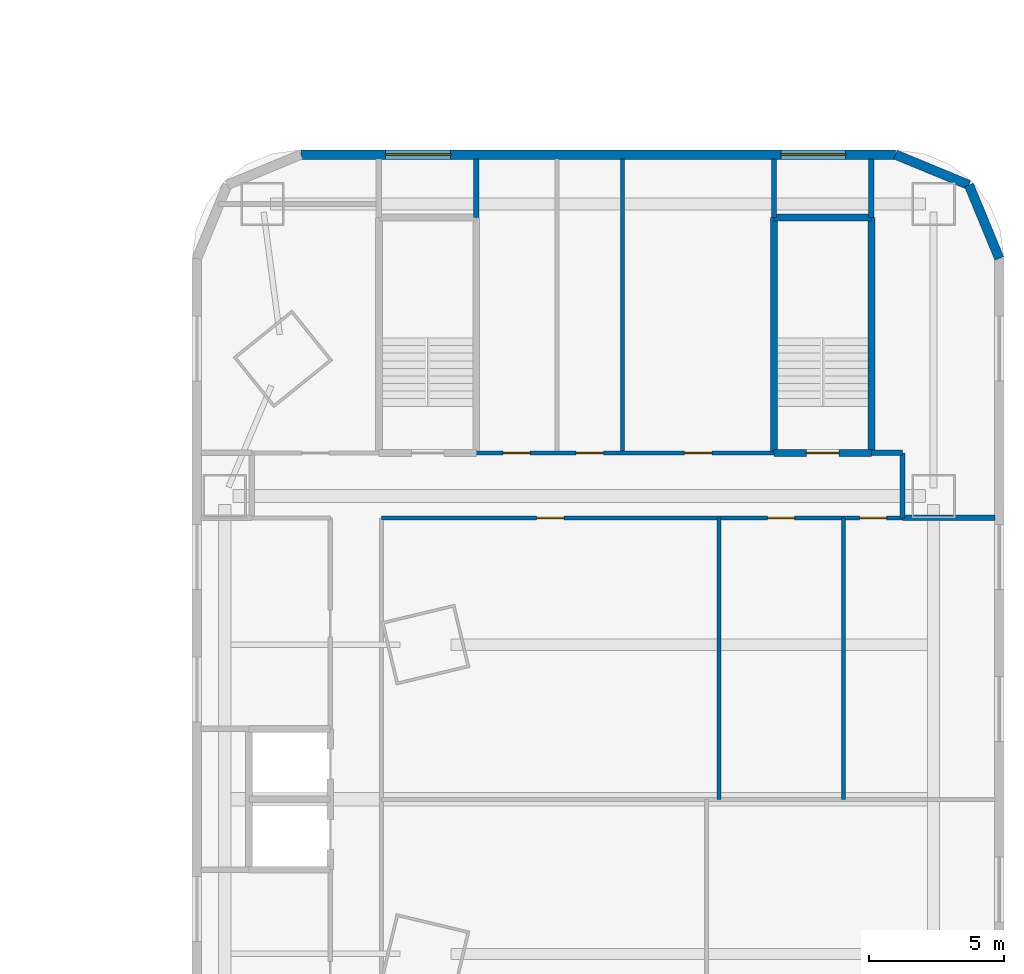
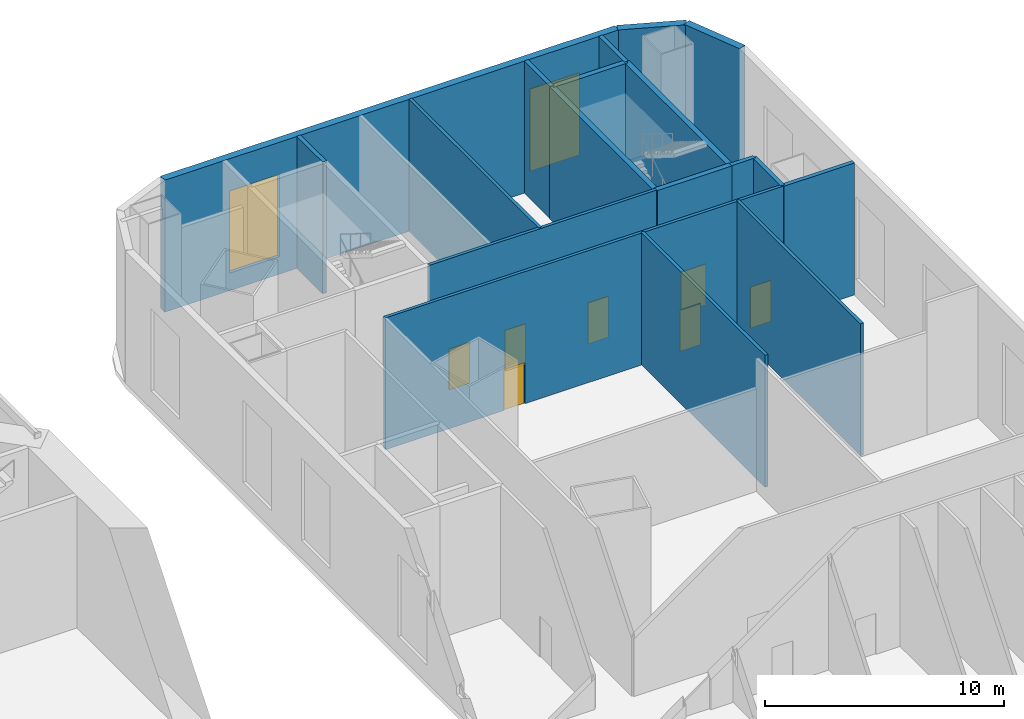
# One storey, part 15 of 19: 18 walls, 7 doors, 2 windows, 9 openings.
"""IFC4 building model written with IfcOpenShell, lengths in metres."""

from ifc_helpers import new_model, si_unit, direction, frame, frame_2d, origin, place, context, subcontext, project, spatial, rectangle, extrude, material, layer, layer_set, type_object, element, fill, save


model = new_model("IFC4")

# Units and contexts
model_context = context("Model", 3, precision=1e-05, world=origin(), true_north=direction((0.0, 1.0)))
body_context = subcontext(model_context, "Body", "Model", "MODEL_VIEW")
ifc_project = project(units=[si_unit("LENGTHUNIT", "METRE"), si_unit("AREAUNIT", "SQUARE_METRE"), si_unit("VOLUMEUNIT", "CUBIC_METRE"), si_unit("PLANEANGLEUNIT", "RADIAN"), si_unit("MASSUNIT", "GRAM", prefix="KILO")], contexts=[model_context])

# Site, building, storey
site_placement = place(None, origin())
site = spatial("IfcSite", under=ifc_project, at=site_placement, CompositionType="ELEMENT")
building_placement = place(site_placement, origin())
building = spatial("IfcBuilding", under=site, at=building_placement, Name="Marenthal Gate Tower", CompositionType="ELEMENT")
storey_placement = place(building_placement, frame((0.0, 0.0, 12.0)))
storey = spatial("IfcBuildingStorey", under=building, at=storey_placement, Name="L01", CompositionType="ELEMENT", Elevation=12.0)

# Wall, openings, doors
ifc_material_1 = material(Name="Gypsum board on steel studs", Category="steel")
ifc_layer_1 = layer(ifc_material_1, 0.14990234375)
ifc_layer_set_1 = layer_set([ifc_layer_1], Name="Partition 150")
wall_type_1 = type_object("IfcWallType", Name="Partition 150", PredefinedType="PARTITIONING", material=ifc_layer_set_1)
wall_1_placement = place(storey_placement, frame((32.9951171875, 10.39990234375, 0.0), z_axis=(0.0, 0.0, 1.0), x_axis=(1.0, 0.0, 0.0)))
wall_1 = element("IfcWall", 1, at=wall_1_placement, inside=storey, type_object=wall_type_1, Name="Partition wall 61", PredefinedType="PARTITIONING", context=body_context, shape_type="SweptSolid", body=[
    extrude(rectangle(XDim=19.2548828125, YDim=0.14990234375, at=frame_2d((9.62744140625, 0.0))), origin(), (0.0, 0.0, 1.0), 6.75),
])
opening_1_placement = place(wall_1_placement, frame((5.735107421875, 0.0, 0.0)))
opening_1 = element("IfcOpeningElement", 2, at=opening_1_placement, cuts=wall_1, Name="Opening D012.04", PredefinedType="OPENING", context=body_context, shape_type="SweptSolid", body=[
    extrude(rectangle(XDim=1.0, YDim=2.10009765625, at=frame_2d((0.5, 1.050048828125))), frame((0.0, 0.0849609375, 0.0), z_axis=(0.0, -1.0, 0.0), x_axis=(1.0, 0.0, 0.0)), (0.0, 0.0, 1.0), 0.169921875),
])
opening_2_placement = place(wall_1_placement, frame((14.27001953125, 0.0, 0.0)))
opening_2 = element("IfcOpeningElement", 3, at=opening_2_placement, cuts=wall_1, Name="Opening D012.05", PredefinedType="OPENING", context=body_context, shape_type="SweptSolid", body=[
    extrude(rectangle(XDim=1.0, YDim=2.10009765625, at=frame_2d((0.5, 1.050048828125))), frame((0.0, 0.0849609375, 0.0), z_axis=(0.0, -1.0, 0.0), x_axis=(1.0, 0.0, 0.0)), (0.0, 0.0, 1.0), 0.169921875),
])
opening_3_placement = place(wall_1_placement, frame((17.66748046875, 0.0, 0.0)))
opening_3 = element("IfcOpeningElement", 4, at=opening_3_placement, cuts=wall_1, Name="Opening D012.06", PredefinedType="OPENING", context=body_context, shape_type="SweptSolid", body=[
    extrude(rectangle(XDim=1.0, YDim=2.10009765625, at=frame_2d((0.5, 1.050048828125))), frame((0.0, 0.0849609375, 0.0), z_axis=(0.0, -1.0, 0.0), x_axis=(1.0, 0.0, 0.0)), (0.0, 0.0, 1.0), 0.169921875),
])
ifc_material_2 = material(Name="Timber door", Category="wood")
door_type_1 = type_object("IfcDoorType", Name="Door 1000 x 2100", OperationType="NOTDEFINED", PredefinedType="DOOR", material=ifc_material_2)
door_1_placement = place(opening_1_placement, frame((1.0, 0.0, 0.0), z_axis=(0.0, 0.0, 1.0), x_axis=(-1.0, 0.0, 0.0)))
door_1 = element("IfcDoor", 5, at=door_1_placement, inside=storey, type_object=door_type_1, Name="Door D012.04", OperationType="SINGLE_SWING_LEFT", OverallHeight=2.10009765625, OverallWidth=1.0, PredefinedType="DOOR", context=body_context, shape_type="SweptSolid", body=[
    extrude(rectangle(XDim=1.0, YDim=2.10009765625, at=frame_2d((0.5, 1.050048828125))), frame((0.0, 0.02490234375, 0.0), z_axis=(0.0, -1.0, 0.0), x_axis=(1.0, 0.0, 0.0)), (0.0, 0.0, 1.0), 0.050048828125),
])
fill(opening_1, door_1)
door_2_placement = place(opening_2_placement, frame((1.0, 0.0, 0.0), z_axis=(0.0, 0.0, 1.0), x_axis=(-1.0, 0.0, 0.0)))
door_2 = element("IfcDoor", 6, at=door_2_placement, inside=storey, type_object=door_type_1, Name="Door D012.05", OperationType="SINGLE_SWING_LEFT", OverallHeight=2.10009765625, OverallWidth=1.0, PredefinedType="DOOR", context=body_context, shape_type="SweptSolid", body=[
    extrude(rectangle(XDim=1.0, YDim=2.10009765625, at=frame_2d((0.5, 1.050048828125))), frame((0.0, 0.02490234375, 0.0), z_axis=(0.0, -1.0, 0.0), x_axis=(1.0, 0.0, 0.0)), (0.0, 0.0, 1.0), 0.050048828125),
])
fill(opening_2, door_2)
door_3_placement = place(opening_3_placement, frame((1.0, 0.0, 0.0), z_axis=(0.0, 0.0, 1.0), x_axis=(-1.0, 0.0, 0.0)))
door_3 = element("IfcDoor", 7, at=door_3_placement, inside=storey, type_object=door_type_1, Name="Door D012.06", OperationType="SINGLE_SWING_LEFT", OverallHeight=2.10009765625, OverallWidth=1.0, PredefinedType="DOOR", context=body_context, shape_type="SweptSolid", body=[
    extrude(rectangle(XDim=1.0, YDim=2.10009765625, at=frame_2d((0.5, 1.050048828125))), frame((0.0, 0.02490234375, 0.0), z_axis=(0.0, -1.0, 0.0), x_axis=(1.0, 0.0, 0.0)), (0.0, 0.0, 1.0), 0.050048828125),
])
fill(opening_3, door_3)

wall_2_placement = place(storey_placement, frame((36.4951171875, 12.800048828125, 0.0), z_axis=(0.0, 0.0, 1.0), x_axis=(1.0, 0.0, 0.0)))
wall_2 = element("IfcWall", 8, at=wall_2_placement, inside=storey, type_object=wall_type_1, Name="Partition wall 65", PredefinedType="PARTITIONING", context=body_context, shape_type="SweptSolid", body=[
    extrude(rectangle(XDim=11.009765625, YDim=0.14990234375, at=frame_2d((5.5048828125, 0.0))), origin(), (0.0, 0.0, 1.0), 6.75),
])
opening_4_placement = place(wall_2_placement, frame((0.9951171875, 0.0, 0.0)))
opening_4 = element("IfcOpeningElement", 9, at=opening_4_placement, cuts=wall_2, Name="Opening D012.01", PredefinedType="OPENING", context=body_context, shape_type="SweptSolid", body=[
    extrude(rectangle(XDim=1.0, YDim=2.10009765625, at=frame_2d((0.5, 1.050048828125))), frame((0.0, 0.0849609375, 0.0), z_axis=(0.0, -1.0, 0.0), x_axis=(1.0, 0.0, 0.0)), (0.0, 0.0, 1.0), 0.169921875),
])
opening_5_placement = place(wall_2_placement, frame((3.695068359375, 0.0, 0.0)))
opening_5 = element("IfcOpeningElement", 10, at=opening_5_placement, cuts=wall_2, Name="Opening D012.02", PredefinedType="OPENING", context=body_context, shape_type="SweptSolid", body=[
    extrude(rectangle(XDim=1.0, YDim=2.10009765625, at=frame_2d((0.5, 1.050048828125))), frame((0.0, 0.0849609375, 0.0), z_axis=(0.0, -1.0, 0.0), x_axis=(1.0, 0.0, 0.0)), (0.0, 0.0, 1.0), 0.169921875),
])
opening_6_placement = place(wall_2_placement, frame((7.705078125, 0.0, 0.0)))
opening_6 = element("IfcOpeningElement", 11, at=opening_6_placement, cuts=wall_2, Name="Opening D012.03", PredefinedType="OPENING", context=body_context, shape_type="SweptSolid", body=[
    extrude(rectangle(XDim=1.0, YDim=2.10009765625, at=frame_2d((0.5, 1.050048828125))), frame((0.0, 0.0849609375, 0.0), z_axis=(0.0, -1.0, 0.0), x_axis=(1.0, 0.0, 0.0)), (0.0, 0.0, 1.0), 0.169921875),
])
door_4_placement = place(opening_4_placement, origin())
door_4 = element("IfcDoor", 12, at=door_4_placement, inside=storey, type_object=door_type_1, Name="Door D012.01", OperationType="SINGLE_SWING_RIGHT", OverallHeight=2.10009765625, OverallWidth=1.0, PredefinedType="DOOR", context=body_context, shape_type="SweptSolid", body=[
    extrude(rectangle(XDim=1.0, YDim=2.10009765625, at=frame_2d((0.5, 1.050048828125))), frame((0.0, 0.02490234375, 0.0), z_axis=(0.0, -1.0, 0.0), x_axis=(1.0, 0.0, 0.0)), (0.0, 0.0, 1.0), 0.050048828125),
])
fill(opening_4, door_4)
door_5_placement = place(opening_5_placement, origin())
door_5 = element("IfcDoor", 13, at=door_5_placement, inside=storey, type_object=door_type_1, Name="Door D012.02", OperationType="SINGLE_SWING_RIGHT", OverallHeight=2.10009765625, OverallWidth=1.0, PredefinedType="DOOR", context=body_context, shape_type="SweptSolid", body=[
    extrude(rectangle(XDim=1.0, YDim=2.10009765625, at=frame_2d((0.5, 1.050048828125))), frame((0.0, 0.02490234375, 0.0), z_axis=(0.0, -1.0, 0.0), x_axis=(1.0, 0.0, 0.0)), (0.0, 0.0, 1.0), 0.050048828125),
])
fill(opening_5, door_5)
door_6_placement = place(opening_6_placement, origin())
door_6 = element("IfcDoor", 14, at=door_6_placement, inside=storey, type_object=door_type_1, Name="Door D012.03", OperationType="SINGLE_SWING_RIGHT", OverallHeight=2.10009765625, OverallWidth=1.0, PredefinedType="DOOR", context=body_context, shape_type="SweptSolid", body=[
    extrude(rectangle(XDim=1.0, YDim=2.10009765625, at=frame_2d((0.5, 1.050048828125))), frame((0.0, 0.02490234375, 0.0), z_axis=(0.0, -1.0, 0.0), x_axis=(1.0, 0.0, 0.0)), (0.0, 0.0, 1.0), 0.050048828125),
])
fill(opening_6, door_6)

# Walls
for number, where, z_axis, x_axis, name in (
    (15, (50.070068359375, 0.0, 0.0), (0.0, 0.0, 1.0), (0.0, 1.0, 0.0), "Partition wall 66"),
    (16, (45.4599609375, 0.0, 0.0), (0.0, 0.0, 1.0), (0.0, 1.0, 0.0), "Partition wall 67"),
):
    element("IfcWall", number, at=place(storey_placement, frame(where, z_axis=z_axis, x_axis=x_axis)), inside=storey, type_object=wall_type_1, Name=name, PredefinedType="PARTITIONING", context=body_context, shape_type="SweptSolid", body=[
        extrude(rectangle(XDim=10.39990234375, YDim=0.14990234375, at=frame_2d((5.199951171875, 0.0))), origin(), (0.0, 0.0, 1.0), 6.75),
    ])
wall_3_placement = place(storey_placement, frame((41.89990234375, 12.800048828125, 0.0), z_axis=(0.0, 0.0, 1.0), x_axis=(0.0, 1.0, 0.0)))
element("IfcWall", 17, at=wall_3_placement, inside=storey, type_object=wall_type_1, Name="Partition wall 69", PredefinedType="PARTITIONING", context=body_context, shape_type="SweptSolid", body=[
    extrude(rectangle(XDim=10.869873046875, YDim=0.14990234375, at=frame_2d((5.43505859375, 0.0))), origin(), (0.0, 0.0, 1.0), 6.75),
])
ifc_material_3 = material(Name="Gypsum board on steel studs", Category="steel")
ifc_layer_2 = layer(ifc_material_3, 0.199951171875)
ifc_layer_set_2 = layer_set([ifc_layer_2], Name="Partition 200")
wall_type_2 = type_object("IfcWallType", Name="Partition 200", PredefinedType="PARTITIONING", material=ifc_layer_set_2)
wall_4_placement = place(storey_placement, frame((52.2451171875, 10.39990234375, 0.0), z_axis=(0.0, 0.0, 1.0), x_axis=(1.0, 0.0, 0.0)))
element("IfcWall", 18, at=wall_4_placement, inside=storey, type_object=wall_type_2, Name="Partition wall 00", PredefinedType="PARTITIONING", context=body_context, shape_type="SweptSolid", body=[
    extrude(rectangle(XDim=3.4248046875, YDim=0.199951171875, at=frame_2d((1.71240234375, 0.0))), origin(), (0.0, 0.0, 1.0), 6.75),
])
wall_5_placement = place(storey_placement, frame((51.094970703125, 12.800048828125, 0.0), z_axis=(0.0, 0.0, 1.0), x_axis=(1.0, 0.0, 0.0)))
element("IfcWall", 19, at=wall_5_placement, inside=storey, type_object=wall_type_2, Name="Partition wall 04", PredefinedType="PARTITIONING", context=body_context, shape_type="SweptSolid", body=[
    extrude(rectangle(XDim=1.155029296875, YDim=0.199951171875, at=frame_2d((0.57763671875, 0.0))), origin(), (0.0, 0.0, 1.0), 6.75),
])
wall_6_placement = place(storey_placement, frame((52.25, 10.39990234375, 0.0), z_axis=(0.0, 0.0, 1.0), x_axis=(0.0, 1.0, 0.0)))
element("IfcWall", 20, at=wall_6_placement, inside=storey, type_object=wall_type_2, Name="Partition wall 09", PredefinedType="PARTITIONING", context=body_context, shape_type="SweptSolid", body=[
    extrude(rectangle(XDim=2.400146484375, YDim=0.199951171875, at=frame_2d((1.2001953125, 0.0))), origin(), (0.0, 0.0, 1.0), 6.75),
])
for number, where, z_axis, x_axis, name in (
    (21, (51.10009765625, 21.49609375, 0.0), (0.0, 0.0, 1.0), (0.0, 1.0, 0.0), "Partition wall 10"),
    (22, (47.5, 21.49609375, 0.0), (0.0, 0.0, 1.0), (0.0, 1.0, 0.0), "Partition wall 11"),
    (23, (36.5, 21.49609375, 0.0), (0.0, 0.0, 1.0), (0.0, 1.0, 0.0), "Partition wall 13"),
):
    element("IfcWall", number, at=place(storey_placement, frame(where, z_axis=z_axis, x_axis=x_axis)), inside=storey, type_object=wall_type_2, Name=name, PredefinedType="PARTITIONING", context=body_context, shape_type="SweptSolid", body=[
        extrude(rectangle(XDim=2.173828125, YDim=0.199951171875, at=frame_2d((1.0869140625, 0.0))), origin(), (0.0, 0.0, 1.0), 6.75),
    ])

# Wall, opening, door
ifc_material_4 = material(Name="Concrete 50 MPa", Category="concrete")
ifc_layer_3 = layer(ifc_material_4, 0.25)
ifc_layer_set_3 = layer_set([ifc_layer_3], Name="Stair shear wall 250")
wall_type_3 = type_object("IfcWallType", Name="Stair shear wall 250", PredefinedType="SHEAR", material=ifc_layer_set_3)
wall_7_placement = place(storey_placement, frame((47.4951171875, 12.800048828125, 0.0), z_axis=(0.0, 0.0, 1.0), x_axis=(1.0, 0.0, 0.0)))
wall_7 = element("IfcWall", 24, at=wall_7_placement, inside=storey, type_object=wall_type_3, Name="Stair wall 36", PredefinedType="SHEAR", context=body_context, shape_type="SweptSolid", body=[
    extrude(rectangle(XDim=3.60986328125, YDim=0.25, at=frame_2d((1.804931640625, 0.0))), origin(), (0.0, 0.0, 1.0), 6.75),
])
opening_7_placement = place(wall_7_placement, frame((1.205078125, 0.0, 0.0)))
opening_7 = element("IfcOpeningElement", 25, at=opening_7_placement, cuts=wall_7, Name="Opening D001.04", PredefinedType="OPENING", context=body_context, shape_type="SweptSolid", body=[
    extrude(rectangle(XDim=1.199951171875, YDim=2.10009765625, at=frame_2d((0.60009765625, 1.050048828125))), frame((0.0, 0.135009765625, 0.0), z_axis=(0.0, -1.0, 0.0), x_axis=(1.0, 0.0, 0.0)), (0.0, 0.0, 1.0), 0.27001953125),
])
ifc_material_5 = material(Name="Steel fire door", Category="steel")
door_type_2 = type_object("IfcDoorType", Name="Fire door FD 90 1200 x 2100", OperationType="NOTDEFINED", PredefinedType="DOOR", material=ifc_material_5)
door_7_placement = place(opening_7_placement, origin())
door_7 = element("IfcDoor", 26, at=door_7_placement, inside=storey, type_object=door_type_2, Name="Door D001.04", OperationType="SINGLE_SWING_RIGHT", OverallHeight=2.10009765625, OverallWidth=1.199951171875, PredefinedType="DOOR", context=body_context, shape_type="SweptSolid", body=[
    extrude(rectangle(XDim=1.199951171875, YDim=2.10009765625, at=frame_2d((0.60009765625, 1.050048828125))), frame((0.0, 0.02490234375, 0.0), z_axis=(0.0, -1.0, 0.0), x_axis=(1.0, 0.0, 0.0)), (0.0, 0.0, 1.0), 0.050048828125),
])
fill(opening_7, door_7)

# Walls
wall_8_placement = place(storey_placement, frame((47.5, 21.5, 0.0), z_axis=(0.0, 0.0, 1.0), x_axis=(1.0, 0.0, 0.0)))
element("IfcWall", 27, at=wall_8_placement, inside=storey, type_object=wall_type_3, Name="Stair wall 40", PredefinedType="SHEAR", context=body_context, shape_type="SweptSolid", body=[
    extrude(rectangle(XDim=3.60009765625, YDim=0.25, at=frame_2d((1.800048828125, 0.0))), origin(), (0.0, 0.0, 1.0), 6.75),
])
for number, where, z_axis, x_axis, name in (
    (28, (51.10009765625, 12.800048828125, 0.0), (0.0, 0.0, 1.0), (0.0, 1.0, 0.0), "Stair wall 41"),
    (29, (47.5, 12.800048828125, 0.0), (0.0, 0.0, 1.0), (0.0, 1.0, 0.0), "Stair wall 42"),
):
    element("IfcWall", number, at=place(storey_placement, frame(where, z_axis=z_axis, x_axis=x_axis)), inside=storey, type_object=wall_type_3, Name=name, PredefinedType="SHEAR", context=body_context, shape_type="SweptSolid", body=[
        extrude(rectangle(XDim=8.699951171875, YDim=0.25, at=frame_2d((4.35009765625, 0.0))), origin(), (0.0, 0.0, 1.0), 6.75),
    ])
ifc_material_6 = material(Name="Terracotta cladding on insulated concrete-block backing", Category="masonry")
ifc_layer_4 = layer(ifc_material_6, 0.35009765625)
ifc_layer_set_4 = layer_set([ifc_layer_4], Name="Terracotta cladding wall 350")
wall_type_4 = type_object("IfcWallType", Name="Terracotta cladding wall 350", PredefinedType="SOLIDWALL", material=ifc_layer_set_4)
for number, where, z_axis, x_axis, name in (
    (30, (55.824951171875, 19.988525390625, 0.0), (0.0, 0.0, 1.0), (-0.381727741993, 0.924274813566, 0.0), "Terracotta cladding wall L01 E4"),
    (31, (54.70361328125, 22.70361328125, 0.0), (0.0, 0.0, 1.0), (-0.924274813566, 0.381727741993, 0.0), "Terracotta cladding wall L01 E5"),
):
    element("IfcWall", number, at=place(storey_placement, frame(where, z_axis=z_axis, x_axis=x_axis)), inside=storey, type_object=wall_type_4, Name=name, PredefinedType="SOLIDWALL", context=body_context, shape_type="SweptSolid", body=[
        extrude(rectangle(XDim=2.9375, YDim=0.35009765625, at=frame_2d((1.46875, 0.0))), origin(), (0.0, 0.0, 1.0), 6.75),
    ])

# Wall, openings, windows
wall_9_placement = place(storey_placement, frame((51.988525390625, 23.824951171875, 0.0), z_axis=(0.0, 0.0, 1.0), x_axis=(-1.0, 0.0, 0.0)))
wall_9 = element("IfcWall", 32, at=wall_9_placement, inside=storey, type_object=wall_type_4, Name="Terracotta cladding wall L01 E6", PredefinedType="SOLIDWALL", context=body_context, shape_type="SweptSolid", body=[
    extrude(rectangle(XDim=21.97705078125, YDim=0.35009765625, at=frame_2d((10.988525390625, 0.0))), origin(), (0.0, 0.0, 1.0), 6.75),
])
opening_8_placement = place(wall_9_placement, frame((1.83837890625, 0.0, 0.89990234375)))
opening_8 = element("IfcOpeningElement", 33, at=opening_8_placement, cuts=wall_9, Name="Opening WN4-L01-07", PredefinedType="OPENING", context=body_context, shape_type="SweptSolid", body=[
    extrude(rectangle(XDim=2.39990234375, YDim=4.199951171875, at=frame_2d((1.199951171875, 2.10009765625))), frame((0.0, 0.18505859375, 0.0), z_axis=(0.0, -1.0, 0.0), x_axis=(1.0, 0.0, 0.0)), (0.0, 0.0, 1.0), 0.3701171875),
])
opening_9_placement = place(wall_9_placement, frame((16.4384765625, 0.0, 0.89990234375)))
opening_9 = element("IfcOpeningElement", 34, at=opening_9_placement, cuts=wall_9, Name="Opening WN4-L01-08", PredefinedType="OPENING", context=body_context, shape_type="SweptSolid", body=[
    extrude(rectangle(XDim=2.39990234375, YDim=4.199951171875, at=frame_2d((1.199951171875, 2.10009765625))), frame((0.0, 0.18505859375, 0.0), z_axis=(0.0, -1.0, 0.0), x_axis=(1.0, 0.0, 0.0)), (0.0, 0.0, 1.0), 0.3701171875),
])
ifc_material_7 = material(Name="Aluminium and laminated impact-rated glass", Category="aluminium")
window_type = type_object("IfcWindowType", Name="Window 2400x4200 impact-rated", PartitioningType="DOUBLE_PANEL_VERTICAL", PredefinedType="WINDOW", material=ifc_material_7)
window_1_placement = place(opening_8_placement, origin())
window_1 = element("IfcWindow", 35, at=window_1_placement, inside=storey, type_object=window_type, Name="Window L01 E6 1", OverallHeight=4.199951171875, OverallWidth=2.39990234375, PartitioningType="SINGLE_PANEL", PredefinedType="WINDOW", context=body_context, shape_type="SweptSolid", body=[
    extrude(rectangle(XDim=2.39990234375, YDim=4.199951171875, at=frame_2d((1.199951171875, 2.10009765625))), frame((0.0, 0.030029296875, 0.0), z_axis=(0.0, -1.0, 0.0), x_axis=(1.0, 0.0, 0.0)), (0.0, 0.0, 1.0), 0.06005859375),
])
fill(opening_8, window_1)
window_2_placement = place(opening_9_placement, origin())
window_2 = element("IfcWindow", 36, at=window_2_placement, inside=storey, type_object=window_type, Name="Window L01 E6 2", OverallHeight=4.199951171875, OverallWidth=2.39990234375, PartitioningType="SINGLE_PANEL", PredefinedType="WINDOW", context=body_context, shape_type="SweptSolid", body=[
    extrude(rectangle(XDim=2.39990234375, YDim=4.199951171875, at=frame_2d((1.199951171875, 2.10009765625))), frame((0.0, 0.030029296875, 0.0), z_axis=(0.0, -1.0, 0.0), x_axis=(1.0, 0.0, 0.0)), (0.0, 0.0, 1.0), 0.06005859375),
])
fill(opening_9, window_2)

save(model, "model.ifc")
